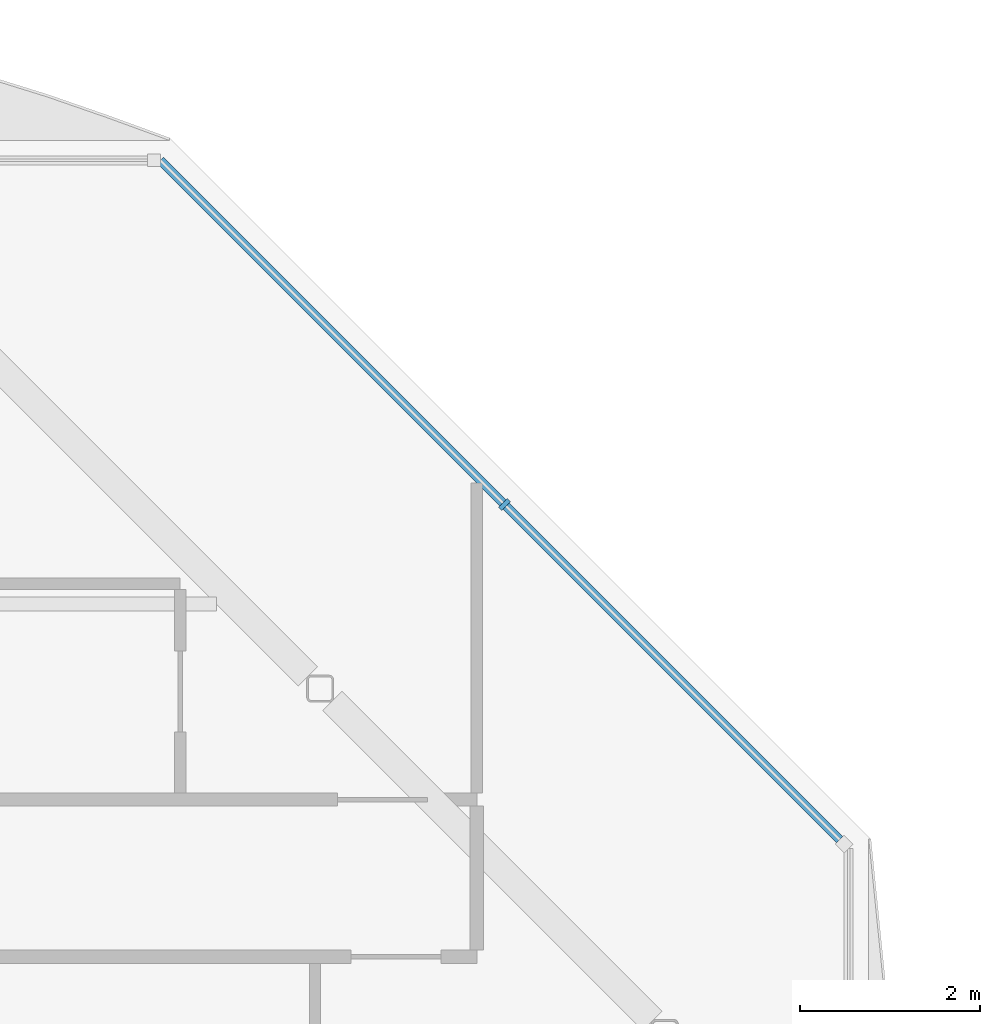
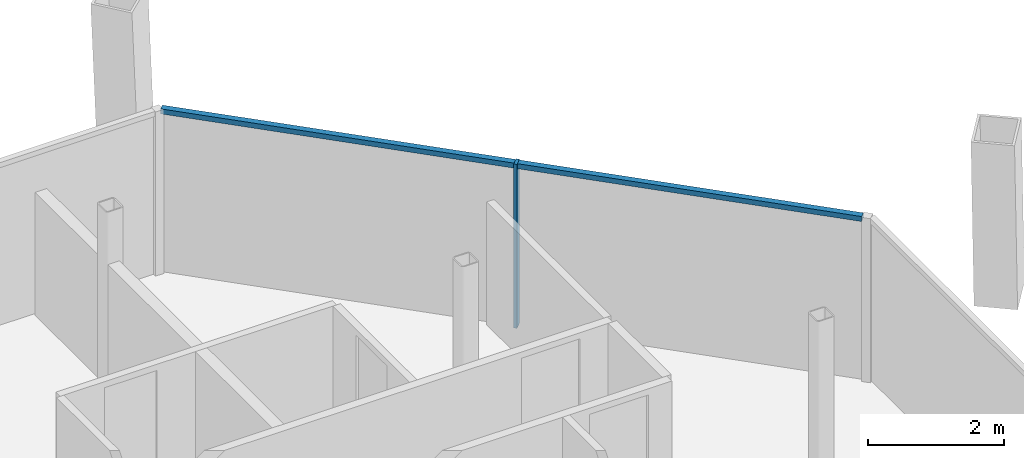
# One storey, part 10 of 17: 3 members, 1 element without a shape of its own.
"""IFC4 building model written with IfcOpenShell, lengths in metres."""

from ifc_helpers import new_model, si_unit, direction, frame, origin, origin_2d, place, context, subcontext, project, spatial, rectangle, extrude, material, material_profile, profile_set, type_object, element, aggregate, save


model = new_model("IFC4")

# Units and contexts
model_context = context("Model", 3, precision=1e-05, world=origin(), true_north=direction((0.0, 1.0)))
body_context = subcontext(model_context, "Body", "Model", "MODEL_VIEW")
ifc_project = project(units=[si_unit("LENGTHUNIT", "METRE"), si_unit("AREAUNIT", "SQUARE_METRE"), si_unit("VOLUMEUNIT", "CUBIC_METRE"), si_unit("PLANEANGLEUNIT", "RADIAN"), si_unit("MASSUNIT", "GRAM", prefix="KILO")], contexts=[model_context])

# Site, building, storey
site_placement = place(None, origin())
site = spatial("IfcSite", under=ifc_project, at=site_placement, CompositionType="ELEMENT")
building_placement = place(site_placement, origin())
building = spatial("IfcBuilding", under=site, at=building_placement, Name="Tskaro Facet Tower", CompositionType="ELEMENT")
storey_placement = place(building_placement, frame((0.0, 0.0, 232.949951171875)))
storey = spatial("IfcBuildingStorey", under=building, at=storey_placement, Name="L60", CompositionType="ELEMENT", Elevation=232.949951171875)

# Curtain wall, members
ifc_material = material(Name="Bronze anodised aluminium 6063-T6", Category="aluminium")
curtain_wall_type = type_object("IfcCurtainWallType", Name="Bronze residence curtain wall (FW3)", PredefinedType="NOTDEFINED", material=ifc_material)
curtain_wall_placement = place(storey_placement, origin())
curtain_wall = element("IfcCurtainWall", 1, at=curtain_wall_placement, inside=storey, type_object=curtain_wall_type, Name="FW3 north-east facet L60", PredefinedType="NOTDEFINED")
ifc_material_profile_1 = material_profile(ifc_material, rectangle(XDim=0.050048828125, YDim=0.139892578125, at=origin_2d()), Name="Mullion 50x140")
ifc_profile_set_1 = profile_set([ifc_material_profile_1], Name="Bronze anodised aluminium 6063-T6")
member_type_1 = type_object("IfcMemberType", Name="FW3 bronze mullion 50x140", PredefinedType="MULLION", material=ifc_profile_set_1)
member_1_placement = place(storey_placement, frame((11.60791015625, 14.60791015625, 0.0), z_axis=(0.0, 0.0, 1.0), x_axis=(-0.707106781187, 0.707106781187, 0.0)))
member_1 = element("IfcMember", 2, at=member_1_placement, type_object=member_type_1, Name="FW3 north-east mullion 1", PredefinedType="MULLION", context=body_context, shape_type="SweptSolid", body=[
    extrude(rectangle(XDim=0.050048828125, YDim=0.139892578125, at=origin_2d()), origin(), (0.0, 0.0, 1.0), 2.949951171875),
])
ifc_material_profile_2 = material_profile(ifc_material, rectangle(XDim=0.10009765625, YDim=0.090087890625, at=origin_2d()), Name="Transom 100x90")
ifc_profile_set_2 = profile_set([ifc_material_profile_2], Name="Bronze anodised aluminium 6063-T6")
member_type_2 = type_object("IfcMemberType", Name="FW3 bronze transom 100x90", PredefinedType="USERDEFINED", material=ifc_profile_set_2)
member_2_placement = place(storey_placement, frame((15.337890625, 10.8779296875, 2.905029296875), z_axis=(-0.707083529126, 0.707130032482, 0.0), x_axis=(-0.707130032482, -0.707083529126, 0.0)))
member_2 = element("IfcMember", 3, at=member_2_placement, type_object=member_type_2, Name="FW3 north-east transom 1.1", ObjectType="TRANSOM", PredefinedType="USERDEFINED", context=body_context, shape_type="SweptSolid", body=[
    extrude(rectangle(XDim=0.10009765625, YDim=0.090087890625, at=origin_2d()), origin(), (0.0, 0.0, 1.0), 5.25),
])
member_3_placement = place(storey_placement, frame((11.59033203125, 14.625732421875, 2.905029296875), z_axis=(-0.707106781187, 0.707106781187, 0.0), x_axis=(-0.707106781187, -0.707106781187, 0.0)))
member_3 = element("IfcMember", 4, at=member_3_placement, type_object=member_type_2, Name="FW3 north-east transom 2.1", ObjectType="TRANSOM", PredefinedType="USERDEFINED", context=body_context, shape_type="SweptSolid", body=[
    extrude(rectangle(XDim=0.10009765625, YDim=0.090087890625, at=origin_2d()), origin(), (0.0, 0.0, 1.0), 5.389892578125),
])
aggregate(curtain_wall, [member_1, member_2, member_3])

save(model, "model.ifc")
